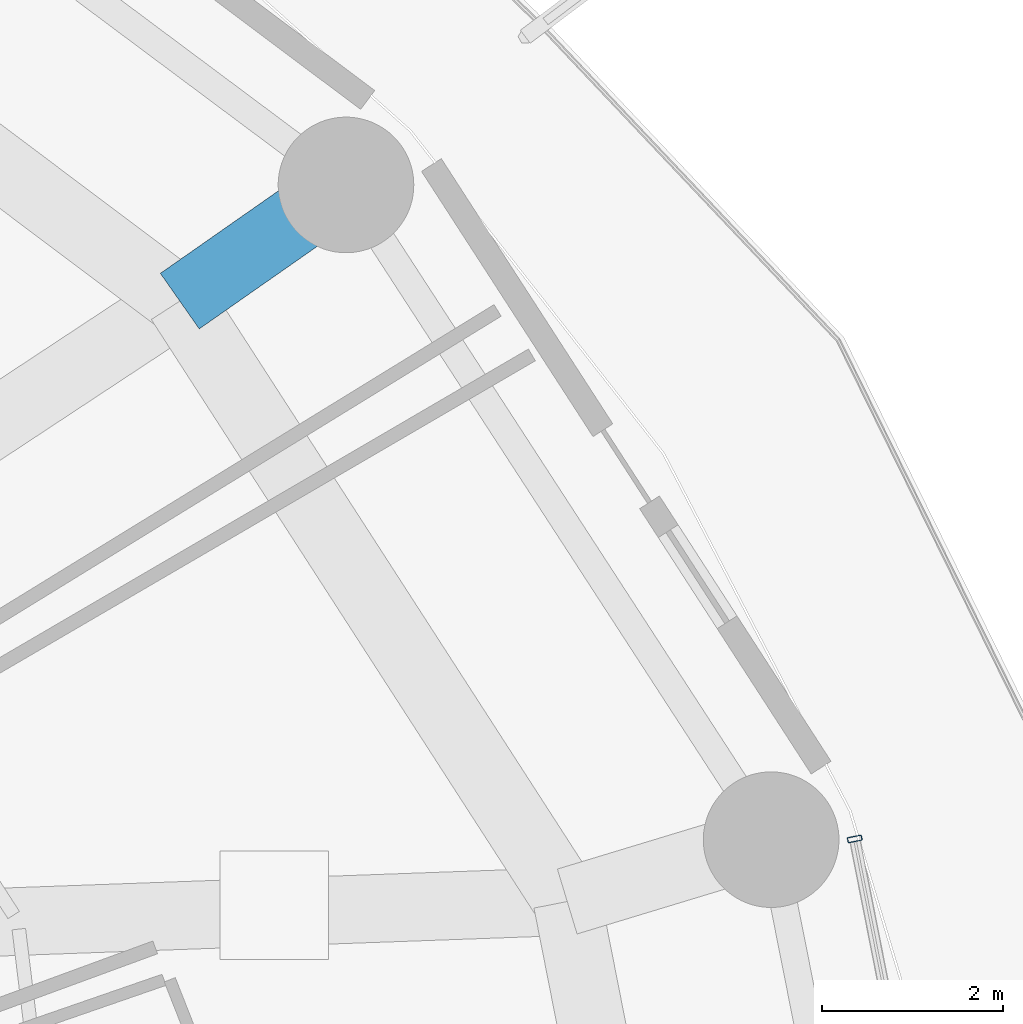
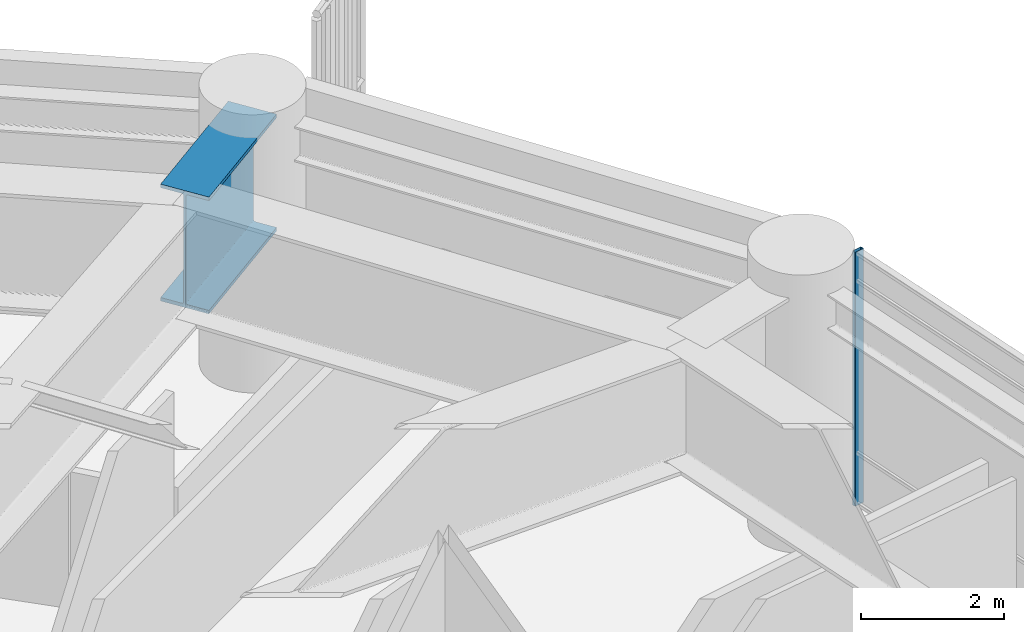
# One storey, part 18 of 31: 1 beam, 1 member, 1 element without a shape of its own.
"""IFC4 building model written with IfcOpenShell, lengths in metres."""

from ifc_helpers import new_model, si_unit, direction, frame, origin, origin_2d, place, context, subcontext, project, spatial, hollow_rectangle, i_section, extrude, material, layer, layer_set, material_profile, profile_set, type_object, element, aggregate, save


model = new_model("IFC4")

# Units and contexts
model_context = context("Model", 3, precision=1e-05, world=origin(), true_north=direction((0.0, 1.0)))
body_context = subcontext(model_context, "Body", "Model", "MODEL_VIEW")
ifc_project = project(units=[si_unit("LENGTHUNIT", "METRE"), si_unit("AREAUNIT", "SQUARE_METRE"), si_unit("VOLUMEUNIT", "CUBIC_METRE"), si_unit("PLANEANGLEUNIT", "RADIAN"), si_unit("MASSUNIT", "GRAM", prefix="KILO")], contexts=[model_context])

# Site, building, storey
site_placement = place(None, origin())
site = spatial("IfcSite", under=ifc_project, at=site_placement, CompositionType="ELEMENT")
building_placement = place(site_placement, origin())
building = spatial("IfcBuilding", under=site, at=building_placement, Name="Kelanora Arch Commons", CompositionType="ELEMENT")
storey_placement = place(building_placement, frame((0.0, 0.0, 67.5)))
storey = spatial("IfcBuildingStorey", under=building, at=storey_placement, Name="L17", CompositionType="ELEMENT", Elevation=67.5)

# Beam
ifc_material_1 = material(Name="Steel S355", Category="steel")
ifc_material_profile_1 = material_profile(ifc_material_1, i_section(OverallWidth=0.75, OverallDepth=2.0, WebThickness=0.034912109375, FlangeThickness=0.06005859375, FilletRadius=0.028076171875, at=origin_2d()), Name="PG2000x750")
ifc_profile_set_1 = profile_set([ifc_material_profile_1], Name="Steel S355")
beam_type = type_object("IfcBeamType", Name="BM-XFER-SET", PredefinedType="USERDEFINED", material=ifc_profile_set_1)
beam_placement = place(storey_placement, frame((92.906005859375, 72.19287109375, 3.360107421875), z_axis=(0.819538590643, 0.573023994653, 0.0), x_axis=(-0.573023994653, 0.819538590643, 0.0)))
element("IfcBeam", 1, at=beam_placement, inside=storey, type_object=beam_type, Name="Radial Floor Girder BR-04 L17", ObjectType="TRANSFER_GIRDER", PredefinedType="USERDEFINED", context=body_context, shape_type="SweptSolid", body=[
    extrude(i_section(OverallWidth=0.75, OverallDepth=2.0, WebThickness=0.034912109375, FlangeThickness=0.06005859375, FilletRadius=0.028076171875, at=origin_2d()), origin(), (0.0, 0.0, 1.0), 2.2431640625),
])

# Curtain wall, member
ifc_material_2 = material(Name="Terracotta ceramic-fritted low-E glass and aluminium", Category="masonry")
ifc_layer = layer(ifc_material_2, 0.159912109375)
ifc_layer_set = layer_set([ifc_layer], Name="Terracotta ceramic-fritted low-E glass and aluminium")
curtain_wall_type = type_object("IfcCurtainWallType", Name="CW-SYS-01", PredefinedType="NOTDEFINED", material=ifc_layer_set)
curtain_wall_placement = place(storey_placement, origin())
curtain_wall = element("IfcCurtainWall", 2, at=curtain_wall_placement, inside=storey, type_object=curtain_wall_type, Name="Unitised Curtain Wall L17-B00", PredefinedType="NOTDEFINED")
ifc_material_3 = material(Name="Powder-coated aluminium terracotta", Category="masonry")
ifc_material_profile_2 = material_profile(ifc_material_3, hollow_rectangle(XDim=0.159912109375, YDim=0.06005859375, WallThickness=0.0048828125, InnerFilletRadius=0.0048828125, OuterFilletRadius=0.010009765625, at=origin_2d()), Name="CWM160x60")
ifc_profile_set_2 = profile_set([ifc_material_profile_2], Name="Powder-coated aluminium terracotta")
member_type = type_object("IfcMemberType", Name="CWM-STD", PredefinedType="MULLION", material=ifc_profile_set_2)
member_placement = place(storey_placement, frame((100.371826171875, 66.243896484375, 0.0), z_axis=(0.0, 0.0, 1.0), x_axis=(-0.981052110579, -0.193744048498, 0.0)))
member = element("IfcMember", 3, at=member_placement, type_object=member_type, Name="CW-01 mullion 3", PredefinedType="MULLION", context=body_context, shape_type="SweptSolid", body=[
    extrude(hollow_rectangle(XDim=0.159912109375, YDim=0.06005859375, WallThickness=0.0048828125, InnerFilletRadius=0.0048828125, OuterFilletRadius=0.010009765625, at=origin_2d()), origin(), (0.0, 0.0, 1.0), 4.344970703125),
])
aggregate(curtain_wall, [member])

save(model, "model.ifc")
